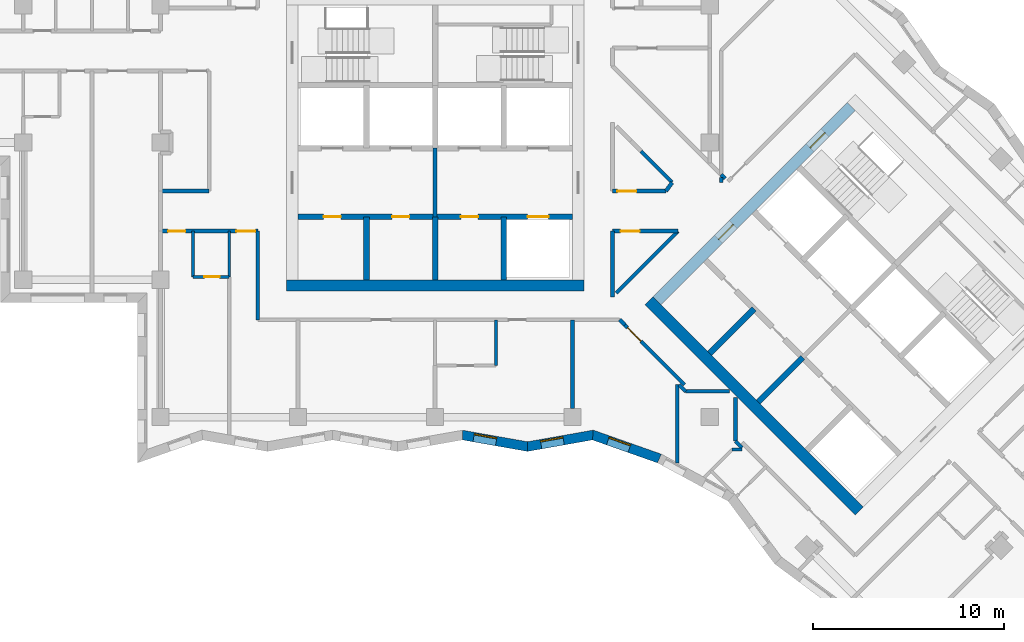
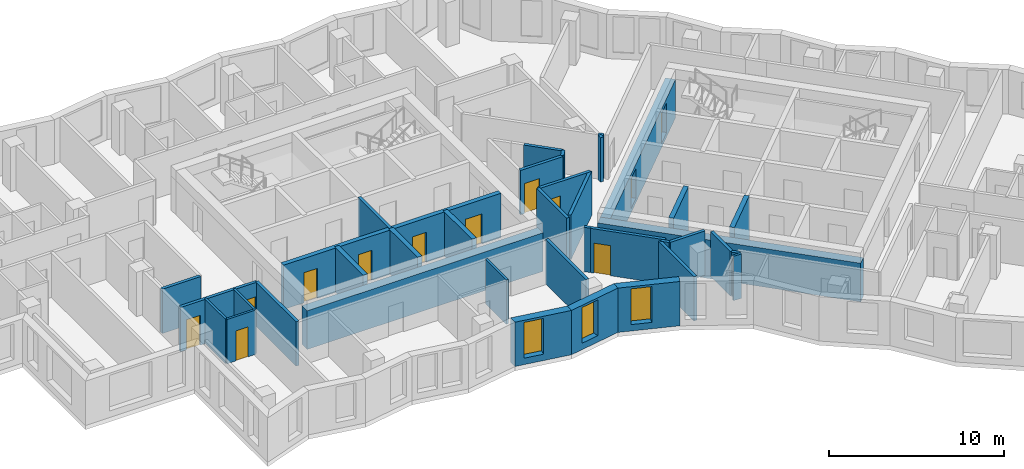
# One storey, part 3 of 12: 37 walls, 12 doors, 3 windows, 15 openings.
"""IFC4 building model written with IfcOpenShell, lengths in metres."""

from ifc_helpers import new_model, si_unit, direction, frame, frame_2d, origin, place, context, subcontext, project, spatial, polyline, rectangle, outline, extrude, material, layer, layer_set, type_object, element, fill, save


model = new_model("IFC4")

# Units and contexts
model_context = context("Model", 3, precision=1e-05, world=origin(), true_north=direction((0.0, 1.0)))
body_context = subcontext(model_context, "Body", "Model", "MODEL_VIEW")
ifc_project = project(units=[si_unit("LENGTHUNIT", "METRE"), si_unit("AREAUNIT", "SQUARE_METRE"), si_unit("VOLUMEUNIT", "CUBIC_METRE"), si_unit("PLANEANGLEUNIT", "RADIAN"), si_unit("MASSUNIT", "GRAM", prefix="KILO")], contexts=[model_context])

# Site, building, storey
site_placement = place(None, origin())
site = spatial("IfcSite", under=ifc_project, at=site_placement, CompositionType="ELEMENT")
building_placement = place(site_placement, origin())
building = spatial("IfcBuilding", under=site, at=building_placement, Name="Windrow Commons", CompositionType="ELEMENT")
storey_placement = place(building_placement, frame((0.0, 0.0, 169.4)))
storey = spatial("IfcBuildingStorey", under=building, at=storey_placement, Name="L46", CompositionType="ELEMENT", Elevation=169.4)

# Wall, opening, window
ifc_material_1 = material(Name="Brick masonry, red clay brick", Category="masonry")
ifc_layer_1 = layer(ifc_material_1, 0.5)
ifc_layer_set_1 = layer_set([ifc_layer_1], Name="Brick facade wall 500")
wall_type_1 = type_object("IfcWallType", Name="Brick facade wall 500", PredefinedType="SOLIDWALL", material=ifc_layer_set_1)
wall_1_placement = place(storey_placement, frame((66.236, 42.2539, 0.0), z_axis=(0.0, 0.0, 1.0), x_axis=(0.9846979018, -0.1742700266, 0.0)))
wall_1 = element("IfcWall", 1, at=wall_1_placement, inside=storey, type_object=wall_type_1, Name="Brick facade wall L46 47", PredefinedType="SOLIDWALL", context=body_context, shape_type="SweptSolid", body=[
    extrude(outline(polyline([(0.0442, -0.25), (3.5044, -0.25), (3.4159, 0.25), (-0.0442, 0.25), (0.0442, -0.25)])), origin(), (0.0, 0.0, 1.0), 3.1),
])
opening_1_placement = place(wall_1_placement, frame((0.5988, 0.0, 0.45)))
opening_1 = element("IfcOpeningElement", 2, at=opening_1_placement, cuts=wall_1, Name="Opening W7E", PredefinedType="OPENING", context=body_context, shape_type="SweptSolid", body=[
    extrude(rectangle(XDim=1.2, YDim=2.5, at=frame_2d((0.6, 1.25))), frame((0.0, 0.26, 0.0), z_axis=(0.0, -1.0, 0.0), x_axis=(1.0, 0.0, 0.0)), (0.0, 0.0, 1.0), 0.52),
])
ifc_material_2 = material(Name="Clear float glass in anodised aluminium frame", Category="aluminium")
window_type = type_object("IfcWindowType", Name="Window W7 notch 1200x2500", PartitioningType="SINGLE_PANEL", PredefinedType="WINDOW", material=ifc_material_2)
window_1_placement = place(opening_1_placement, origin())
window_1 = element("IfcWindow", 3, at=window_1_placement, inside=storey, type_object=window_type, Name="Window L46 47.1", OverallHeight=2.5, OverallWidth=1.2, PartitioningType="SINGLE_PANEL", PredefinedType="WINDOW", context=body_context, shape_type="SweptSolid", body=[
    extrude(rectangle(XDim=1.2, YDim=2.5, at=frame_2d((0.6, 1.25))), frame((0.0, 0.18, 0.0), z_axis=(0.0, -1.0, 0.0), x_axis=(1.0, 0.0, 0.0)), (0.0, 0.0, 1.0), 0.06),
])
fill(opening_1, window_1)

wall_2_placement = place(storey_placement, frame((69.6432, 41.6509, 0.0), z_axis=(0.0, 0.0, 1.0), x_axis=(0.9847004616, 0.1742555624, 0.0)))
wall_2 = element("IfcWall", 4, at=wall_2_placement, inside=storey, type_object=wall_type_1, Name="Brick facade wall L46 48", PredefinedType="SOLIDWALL", context=body_context, shape_type="SweptSolid", body=[
    extrude(outline(polyline([(-0.0442, -0.25), (3.4159, -0.25), (3.5475, 0.25), (0.0442, 0.25), (-0.0442, -0.25)])), origin(), (0.0, 0.0, 1.0), 3.1),
])
opening_2_placement = place(wall_2_placement, frame((0.7188, 0.0, 0.45)))
opening_2 = element("IfcOpeningElement", 5, at=opening_2_placement, cuts=wall_2, Name="Opening W7E", PredefinedType="OPENING", context=body_context, shape_type="SweptSolid", body=[
    extrude(rectangle(XDim=1.2, YDim=2.5, at=frame_2d((0.6, 1.25))), frame((0.0, 0.26, 0.0), z_axis=(0.0, -1.0, 0.0), x_axis=(1.0, 0.0, 0.0)), (0.0, 0.0, 1.0), 0.52),
])
window_2_placement = place(opening_2_placement, origin())
window_2 = element("IfcWindow", 6, at=window_2_placement, inside=storey, type_object=window_type, Name="Window L46 48.1", OverallHeight=2.5, OverallWidth=1.2, PartitioningType="SINGLE_PANEL", PredefinedType="WINDOW", context=body_context, shape_type="SweptSolid", body=[
    extrude(rectangle(XDim=1.2, YDim=2.5, at=frame_2d((0.6, 1.25))), frame((0.0, 0.18, 0.0), z_axis=(0.0, -1.0, 0.0), x_axis=(1.0, 0.0, 0.0)), (0.0, 0.0, 1.0), 0.06),
])
fill(opening_2, window_2)

wall_3_placement = place(storey_placement, frame((73.0716, 42.2576, 0.0), z_axis=(0.0, 0.0, 1.0), x_axis=(0.9429553898, -0.3329191086, 0.0)))
wall_3 = element("IfcWall", 7, at=wall_3_placement, inside=storey, type_object=wall_type_1, Name="Brick facade wall L46 49", PredefinedType="SOLIDWALL", context=body_context, shape_type="SweptSolid", body=[
    extrude(outline(polyline([(0.0658, -0.25), (3.6791, -0.25), (3.7184, 0.25), (-0.0658, 0.25), (0.0658, -0.25)])), origin(), (0.0, 0.0, 1.0), 3.1),
])
opening_3_placement = place(wall_3_placement, frame((0.8407, 0.0, 0.45)))
opening_3 = element("IfcOpeningElement", 8, at=opening_3_placement, cuts=wall_3, Name="Opening W7E", PredefinedType="OPENING", context=body_context, shape_type="SweptSolid", body=[
    extrude(rectangle(XDim=1.2, YDim=2.5, at=frame_2d((0.6, 1.25))), frame((0.0, 0.26, 0.0), z_axis=(0.0, -1.0, 0.0), x_axis=(1.0, 0.0, 0.0)), (0.0, 0.0, 1.0), 0.52),
])
window_3_placement = place(opening_3_placement, origin())
window_3 = element("IfcWindow", 9, at=window_3_placement, inside=storey, type_object=window_type, Name="Window L46 49.1", OverallHeight=2.5, OverallWidth=1.2, PartitioningType="SINGLE_PANEL", PredefinedType="WINDOW", context=body_context, shape_type="SweptSolid", body=[
    extrude(rectangle(XDim=1.2, YDim=2.5, at=frame_2d((0.6, 1.25))), frame((0.0, 0.18, 0.0), z_axis=(0.0, -1.0, 0.0), x_axis=(1.0, 0.0, 0.0)), (0.0, 0.0, 1.0), 0.06),
])
fill(opening_3, window_3)

# Wall
ifc_material_3 = material(Name="Blockwork partition", Category="masonry")
ifc_layer_2 = layer(ifc_material_3, 0.2)
ifc_layer_set_2 = layer_set([ifc_layer_2], Name="Fire lobby partition 200")
wall_type_2 = type_object("IfcWallType", Name="Fire lobby partition 200", PredefinedType="PARTITIONING", material=ifc_layer_set_2)
wall_4_placement = place(storey_placement, frame((64.8, 53.7, 0.0), z_axis=(0.0, 0.0, 1.0), x_axis=(0.0, 1.0, 0.0)))
element("IfcWall", 10, at=wall_4_placement, inside=storey, type_object=wall_type_2, Name="W-core-lobby-A-L46", PredefinedType="PARTITIONING", context=body_context, shape_type="SweptSolid", body=[
    extrude(rectangle(XDim=3.6, YDim=0.2, at=frame_2d((1.8, 0.0))), origin(), (0.0, 0.0, 1.0), 3.1),
])

# Wall, openings, doors
ifc_material_4 = material(Name="Blockwork partition", Category="masonry")
ifc_layer_3 = layer(ifc_material_4, 0.2)
ifc_layer_set_3 = layer_set([ifc_layer_3], Name="IW-CORRIDOR-200")
wall_type_3 = type_object("IfcWallType", Name="IW-CORRIDOR-200", PredefinedType="PARTITIONING", material=ifc_layer_set_3)
wall_5_placement = place(storey_placement, frame((50.4, 52.95, 0.0), z_axis=(0.0, 0.0, 1.0), x_axis=(1.0, 0.0, 0.0)))
wall_5 = element("IfcWall", 11, at=wall_5_placement, inside=storey, type_object=wall_type_3, Name="W-L46-W035", PredefinedType="PARTITIONING", context=body_context, shape_type="SweptSolid", body=[
    extrude(rectangle(XDim=5.1, YDim=0.2, at=frame_2d((2.55, 0.0))), origin(), (0.0, 0.0, 1.0), 3.1),
])
opening_4_placement = place(wall_5_placement, frame((0.4, 0.0, 0.0)))
opening_4 = element("IfcOpeningElement", 12, at=opening_4_placement, cuts=wall_5, Name="Opening D109S", PredefinedType="OPENING", context=body_context, shape_type="SweptSolid", body=[
    extrude(rectangle(XDim=0.9, YDim=2.1, at=frame_2d((0.45, 1.05))), frame((0.0, 0.11, 0.0), z_axis=(0.0, -1.0, 0.0), x_axis=(1.0, 0.0, 0.0)), (0.0, 0.0, 1.0), 0.22),
])
opening_5_placement = place(wall_5_placement, frame((3.976, 0.0, 0.0)))
opening_5 = element("IfcOpeningElement", 13, at=opening_5_placement, cuts=wall_5, Name="Opening D310F", PredefinedType="OPENING", context=body_context, shape_type="SweptSolid", body=[
    extrude(rectangle(XDim=1.0, YDim=2.1, at=frame_2d((0.5, 1.05))), frame((0.0, 0.11, 0.0), z_axis=(0.0, -1.0, 0.0), x_axis=(1.0, 0.0, 0.0)), (0.0, 0.0, 1.0), 0.22),
])
ifc_material_5 = material(Name="Timber door leaf", Category="wood")
door_type_1 = type_object("IfcDoorType", Name="DT-AMENITY-1000", OperationType="SINGLE_SWING_LEFT", PredefinedType="DOOR", material=ifc_material_5)
door_1_placement = place(opening_5_placement, origin())
door_1 = element("IfcDoor", 14, at=door_1_placement, inside=storey, type_object=door_type_1, Name="D-L46-D027", OperationType="SINGLE_SWING_RIGHT", OverallHeight=2.1, OverallWidth=1.0, PredefinedType="DOOR", context=body_context, shape_type="SweptSolid", body=[
    extrude(rectangle(XDim=1.0, YDim=2.1, at=frame_2d((0.5, 1.05))), frame((0.0, 0.025, 0.0), z_axis=(0.0, -1.0, 0.0), x_axis=(1.0, 0.0, 0.0)), (0.0, 0.0, 1.0), 0.05),
])
fill(opening_5, door_1)
ifc_material_6 = material(Name="Timber door leaf", Category="wood")
door_type_2 = type_object("IfcDoorType", Name="DT-BEDROOM-900", OperationType="SINGLE_SWING_LEFT", PredefinedType="DOOR", material=ifc_material_6)
door_2_placement = place(opening_4_placement, origin())
door_2 = element("IfcDoor", 15, at=door_2_placement, inside=storey, type_object=door_type_2, Name="D-L46-D025", OperationType="SINGLE_SWING_LEFT", OverallHeight=2.1, OverallWidth=0.9, PredefinedType="DOOR", context=body_context, shape_type="SweptSolid", body=[
    extrude(rectangle(XDim=0.9, YDim=2.1, at=frame_2d((0.45, 1.05))), frame((0.0, 0.025, 0.0), z_axis=(0.0, -1.0, 0.0), x_axis=(1.0, 0.0, 0.0)), (0.0, 0.0, 1.0), 0.05),
])
fill(opening_4, door_2)

# Walls
wall_6_placement = place(storey_placement, frame((55.5, 48.3, 0.0), z_axis=(0.0, 0.0, 1.0), x_axis=(0.0, 1.0, 0.0)))
element("IfcWall", 16, at=wall_6_placement, inside=storey, type_object=wall_type_3, Name="W-L46-W040", PredefinedType="PARTITIONING", context=body_context, shape_type="SweptSolid", body=[
    extrude(rectangle(XDim=4.65, YDim=0.2, at=frame_2d((2.325, 0.0))), origin(), (0.0, 0.0, 1.0), 3.1),
])
wall_7_placement = place(storey_placement, frame((74.2996, 49.7064, 0.0), z_axis=(0.0, 0.0, 1.0), x_axis=(0.7071067812, 0.7071067812, 0.0)))
element("IfcWall", 17, at=wall_7_placement, inside=storey, type_object=wall_type_3, Name="W-L46-W045", PredefinedType="PARTITIONING", context=body_context, shape_type="SweptSolid", body=[
    extrude(rectangle(XDim=4.5877, YDim=0.2, at=frame_2d((2.2938, 0.0))), origin(), (0.0, 0.0, 1.0), 3.1),
])

# Wall, opening, door
wall_8_placement = place(storey_placement, frame((74.7447, 48.0287, 0.0), z_axis=(0.0, 0.0, 1.0), x_axis=(0.7068806156, -0.7073328745, 0.0)))
wall_8 = element("IfcWall", 18, at=wall_8_placement, inside=storey, type_object=wall_type_3, Name="W-L46-W047", PredefinedType="PARTITIONING", context=body_context, shape_type="SweptSolid", body=[
    extrude(rectangle(XDim=4.4222, YDim=0.2, at=frame_2d((2.2111, 0.0))), origin(), (0.0, 0.0, 1.0), 3.1),
])
opening_6_placement = place(wall_8_placement, frame((0.1993, 0.0, 0.0)))
opening_6 = element("IfcOpeningElement", 19, at=opening_6_placement, cuts=wall_8, Name="Opening D310F", PredefinedType="OPENING", context=body_context, shape_type="SweptSolid", body=[
    extrude(rectangle(XDim=1.0, YDim=2.1, at=frame_2d((0.5, 1.05))), frame((0.0, 0.11, 0.0), z_axis=(0.0, -1.0, 0.0), x_axis=(1.0, 0.0, 0.0)), (0.0, 0.0, 1.0), 0.22),
])
door_3_placement = place(opening_6_placement, origin())
door_3 = element("IfcDoor", 20, at=door_3_placement, inside=storey, type_object=door_type_1, Name="D-L46-D039", OperationType="SINGLE_SWING_LEFT", OverallHeight=2.1, OverallWidth=1.0, PredefinedType="DOOR", context=body_context, shape_type="SweptSolid", body=[
    extrude(rectangle(XDim=1.0, YDim=2.1, at=frame_2d((0.5, 1.05))), frame((0.0, 0.025, 0.0), z_axis=(0.0, -1.0, 0.0), x_axis=(1.0, 0.0, 0.0)), (0.0, 0.0, 1.0), 0.05),
])
fill(opening_6, door_3)

# Wall
wall_9_placement = place(storey_placement, frame((74.1, 49.508, 0.0), z_axis=(0.0, 0.0, 1.0), x_axis=(0.0, 1.0, 0.0)))
element("IfcWall", 21, at=wall_9_placement, inside=storey, type_object=wall_type_3, Name="W-L46-W055", PredefinedType="PARTITIONING", context=body_context, shape_type="SweptSolid", body=[
    extrude(rectangle(XDim=3.442, YDim=0.2, at=frame_2d((1.721, 0.0))), origin(), (0.0, 0.0, 1.0), 3.1),
])

# Wall, opening, door
wall_10_placement = place(storey_placement, frame((74.102, 52.95, 0.0), z_axis=(0.0, 0.0, 1.0), x_axis=(1.0, 0.0, 0.0)))
wall_10 = element("IfcWall", 22, at=wall_10_placement, inside=storey, type_object=wall_type_3, Name="W-L46-W056", PredefinedType="PARTITIONING", context=body_context, shape_type="SweptSolid", body=[
    extrude(rectangle(XDim=3.44, YDim=0.2, at=frame_2d((1.72, 0.0))), origin(), (0.0, 0.0, 1.0), 3.1),
])
opening_7_placement = place(wall_10_placement, frame((0.426, 0.0, 0.0)))
opening_7 = element("IfcOpeningElement", 23, at=opening_7_placement, cuts=wall_10, Name="Opening D410F", PredefinedType="OPENING", context=body_context, shape_type="SweptSolid", body=[
    extrude(rectangle(XDim=1.0, YDim=2.1, at=frame_2d((0.5, 1.05))), frame((0.0, 0.11, 0.0), z_axis=(0.0, -1.0, 0.0), x_axis=(1.0, 0.0, 0.0)), (0.0, 0.0, 1.0), 0.22),
])
ifc_material_7 = material(Name="Timber door leaf", Category="wood")
door_type_3 = type_object("IfcDoorType", Name="DT-SERVICE-1000", OperationType="SINGLE_SWING_LEFT", PredefinedType="DOOR", material=ifc_material_7)
door_4_placement = place(opening_7_placement, origin())
door_4 = element("IfcDoor", 24, at=door_4_placement, inside=storey, type_object=door_type_3, Name="D-L46-D000", OperationType="SINGLE_SWING_RIGHT", OverallHeight=2.1, OverallWidth=1.0, PredefinedType="DOOR", context=body_context, shape_type="SweptSolid", body=[
    extrude(rectangle(XDim=1.0, YDim=2.1, at=frame_2d((0.5, 1.05))), frame((0.0, 0.025, 0.0), z_axis=(0.0, -1.0, 0.0), x_axis=(1.0, 0.0, 0.0)), (0.0, 0.0, 1.0), 0.05),
])
fill(opening_7, door_4)

wall_11_placement = place(storey_placement, frame((74.102, 55.05, 0.0), z_axis=(0.0, 0.0, 1.0), x_axis=(1.0, 0.0, 0.0)))
wall_11 = element("IfcWall", 25, at=wall_11_placement, inside=storey, type_object=wall_type_3, Name="W-L46-W062", PredefinedType="PARTITIONING", context=body_context, shape_type="SweptSolid", body=[
    extrude(rectangle(XDim=2.794, YDim=0.2, at=frame_2d((1.397, 0.0))), origin(), (0.0, 0.0, 1.0), 3.1),
])
opening_8_placement = place(wall_11_placement, frame((0.2542, 0.0, 0.0)))
opening_8 = element("IfcOpeningElement", 26, at=opening_8_placement, cuts=wall_11, Name="Opening D410F", PredefinedType="OPENING", context=body_context, shape_type="SweptSolid", body=[
    extrude(rectangle(XDim=1.0, YDim=2.1, at=frame_2d((0.5, 1.05))), frame((0.0, 0.11, 0.0), z_axis=(0.0, -1.0, 0.0), x_axis=(1.0, 0.0, 0.0)), (0.0, 0.0, 1.0), 0.22),
])
door_5_placement = place(opening_8_placement, origin())
door_5 = element("IfcDoor", 27, at=door_5_placement, inside=storey, type_object=door_type_3, Name="D-L46-D001", OperationType="SINGLE_SWING_LEFT", OverallHeight=2.1, OverallWidth=1.0, PredefinedType="DOOR", context=body_context, shape_type="SweptSolid", body=[
    extrude(rectangle(XDim=1.0, YDim=2.1, at=frame_2d((0.5, 1.05))), frame((0.0, 0.025, 0.0), z_axis=(0.0, -1.0, 0.0), x_axis=(1.0, 0.0, 0.0)), (0.0, 0.0, 1.0), 0.05),
])
fill(opening_8, door_5)

# Walls
wall_12_placement = place(storey_placement, frame((50.4, 55.05, 0.0), z_axis=(0.0, 0.0, 1.0), x_axis=(1.0, 0.0, 0.0)))
element("IfcWall", 28, at=wall_12_placement, inside=storey, type_object=wall_type_3, Name="W-L46-W065", PredefinedType="PARTITIONING", context=body_context, shape_type="SweptSolid", body=[
    extrude(rectangle(XDim=2.55, YDim=0.2, at=frame_2d((1.275, 0.0))), origin(), (0.0, 0.0, 1.0), 3.1),
])
wall_13_placement = place(storey_placement, frame((75.597, 57.141, 0.0), z_axis=(0.0, 0.0, 1.0), x_axis=(0.7071067812, -0.7071067812, 0.0)))
element("IfcWall", 29, at=wall_13_placement, inside=storey, type_object=wall_type_3, Name="W-L46-W099", PredefinedType="PARTITIONING", context=body_context, shape_type="SweptSolid", body=[
    extrude(rectangle(XDim=2.3052, YDim=0.2, at=frame_2d((1.1526, 0.0))), origin(), (0.0, 0.0, 1.0), 3.1),
])
for number, where, z_axis, x_axis, name in (
    (30, (77.942, 44.55, 0.0), (0.0, 0.0, 1.0), (1.0, 0.0, 0.0), "W-L46-W100"),
    (31, (80.55, 41.942, 0.0), (0.0, 0.0, 1.0), (0.0, 1.0, 0.0), "W-L46-W101"),
):
    element("IfcWall", number, at=place(storey_placement, frame(where, z_axis=z_axis, x_axis=x_axis)), inside=storey, type_object=wall_type_3, Name=name, PredefinedType="PARTITIONING", context=body_context, shape_type="SweptSolid", body=[
        extrude(rectangle(XDim=2.29, YDim=0.2, at=frame_2d((1.145, 0.0))), origin(), (0.0, 0.0, 1.0), 3.1),
    ])
wall_14_placement = place(storey_placement, frame((76.9029, 55.0508, 0.0), z_axis=(0.0, 0.0, 1.0), x_axis=(0.5890255926, 0.8081143801, 0.0)))
element("IfcWall", 32, at=wall_14_placement, inside=storey, type_object=wall_type_3, Name="W-L46-W149", PredefinedType="PARTITIONING", context=body_context, shape_type="SweptSolid", body=[
    extrude(rectangle(XDim=0.5569, YDim=0.2, at=frame_2d((0.2784, 0.0))), origin(), (0.0, 0.0, 1.0), 3.1),
])
for number, where, z_axis, x_axis, name in (
    (33, (77.5885, 44.8965, 0.0), (0.0, 0.0, 1.0), (0.7071067812, -0.7071067812, 0.0), "W-L46-W153"),
    (34, (80.5465, 41.9385, 0.0), (0.0, 0.0, 1.0), (0.7071067812, -0.7071067812, 0.0), "W-L46-W154"),
):
    element("IfcWall", number, at=place(storey_placement, frame(where, z_axis=z_axis, x_axis=x_axis)), inside=storey, type_object=wall_type_3, Name=name, PredefinedType="PARTITIONING", context=body_context, shape_type="SweptSolid", body=[
        extrude(rectangle(XDim=0.495, YDim=0.2, at=frame_2d((0.2475, 0.0))), origin(), (0.0, 0.0, 1.0), 3.1),
    ])
wall_15_placement = place(storey_placement, frame((79.8, 55.49, 0.0), z_axis=(0.0, 0.0, 1.0), x_axis=(0.0, 1.0, 0.0)))
element("IfcWall", 35, at=wall_15_placement, inside=storey, type_object=wall_type_3, Name="W-L46-W163", PredefinedType="PARTITIONING", context=body_context, shape_type="SweptSolid", body=[
    extrude(rectangle(XDim=0.284, YDim=0.2, at=frame_2d((0.142, 0.0))), origin(), (0.0, 0.0, 1.0), 3.1),
])
wall_16_placement = place(storey_placement, frame((74.4772, 48.3032, 0.0), z_axis=(0.0, 0.0, 1.0), x_axis=(0.7097111995, -0.7044927348, 0.0)))
element("IfcWall", 36, at=wall_16_placement, inside=storey, type_object=wall_type_3, Name="W-L46-W164", PredefinedType="PARTITIONING", context=body_context, shape_type="SweptSolid", body=[
    extrude(rectangle(XDim=0.3833, YDim=0.2, at=frame_2d((0.1916, 0.0))), origin(), (0.0, 0.0, 1.0), 3.1),
])
ifc_material_8 = material(Name="Blockwork partition", Category="masonry")
ifc_layer_4 = layer(ifc_material_8, 0.15)
ifc_layer_set_4 = layer_set([ifc_layer_4], Name="IW-ENSUITE-150")
wall_type_4 = type_object("IfcWallType", Name="IW-ENSUITE-150", PredefinedType="PARTITIONING", material=ifc_layer_set_4)
for number, where, z_axis, x_axis, name in (
    (37, (52.1, 50.55, 0.0), (0.0, 0.0, 1.0), (0.0, 1.0, 0.0), "W-L46-W071"),
    (38, (54.0, 50.55, 0.0), (0.0, 0.0, 1.0), (0.0, 1.0, 0.0), "W-L46-W072"),
    (39, (68.0, 45.9, 0.0), (0.0, 0.0, 1.0), (0.0, 1.0, 0.0), "W-L46-W077"),
):
    element("IfcWall", number, at=place(storey_placement, frame(where, z_axis=z_axis, x_axis=x_axis)), inside=storey, type_object=wall_type_4, Name=name, PredefinedType="PARTITIONING", context=body_context, shape_type="SweptSolid", body=[
        extrude(rectangle(XDim=2.4, YDim=0.15, at=frame_2d((1.2, 0.0))), origin(), (0.0, 0.0, 1.0), 3.1),
    ])

# Wall, opening, door
wall_17_placement = place(storey_placement, frame((52.1, 50.55, 0.0), z_axis=(0.0, 0.0, 1.0), x_axis=(1.0, 0.0, 0.0)))
wall_17 = element("IfcWall", 40, at=wall_17_placement, inside=storey, type_object=wall_type_4, Name="W-L46-W123", PredefinedType="PARTITIONING", context=body_context, shape_type="SweptSolid", body=[
    extrude(rectangle(XDim=1.9, YDim=0.15, at=frame_2d((0.95, 0.0))), origin(), (0.0, 0.0, 1.0), 3.1),
])
opening_9_placement = place(wall_17_placement, frame((0.5979, 0.0, 0.0)))
opening_9 = element("IfcOpeningElement", 41, at=opening_9_placement, cuts=wall_17, Name="Opening D208N", PredefinedType="OPENING", context=body_context, shape_type="SweptSolid", body=[
    extrude(rectangle(XDim=0.8, YDim=2.1, at=frame_2d((0.4, 1.05))), frame((0.0, 0.085, 0.0), z_axis=(0.0, -1.0, 0.0), x_axis=(1.0, 0.0, 0.0)), (0.0, 0.0, 1.0), 0.17),
])
ifc_material_9 = material(Name="Timber door leaf", Category="wood")
door_type_4 = type_object("IfcDoorType", Name="DT-ENSUITE-800", OperationType="SINGLE_SWING_LEFT", PredefinedType="DOOR", material=ifc_material_9)
door_6_placement = place(opening_9_placement, origin())
door_6 = element("IfcDoor", 42, at=door_6_placement, inside=storey, type_object=door_type_4, Name="D-L46-D026", OperationType="SINGLE_SWING_RIGHT", OverallHeight=2.1, OverallWidth=0.8, PredefinedType="DOOR", context=body_context, shape_type="SweptSolid", body=[
    extrude(rectangle(XDim=0.8, YDim=2.1, at=frame_2d((0.4, 1.05))), frame((0.0, 0.025, 0.0), z_axis=(0.0, -1.0, 0.0), x_axis=(1.0, 0.0, 0.0)), (0.0, 0.0, 1.0), 0.05),
])
fill(opening_9, door_6)

# Walls
wall_18_placement = place(storey_placement, frame((80.378, 41.5, 0.0), z_axis=(0.0, 0.0, 1.0), x_axis=(1.0, 0.0, 0.0)))
element("IfcWall", 43, at=wall_18_placement, inside=storey, type_object=wall_type_4, Name="W-L46-W152", PredefinedType="PARTITIONING", context=body_context, shape_type="SweptSolid", body=[
    extrude(rectangle(XDim=0.522, YDim=0.15, at=frame_2d((0.261, 0.0))), origin(), (0.0, 0.0, 1.0), 3.1),
])
ifc_material_10 = material(Name="Blockwork partition", Category="masonry")
ifc_layer_5 = layer(ifc_material_10, 0.2)
ifc_layer_set_5 = layer_set([ifc_layer_5], Name="IW-PARTY-200")
wall_type_5 = type_object("IfcWallType", Name="IW-PARTY-200", PredefinedType="PARTITIONING", material=ifc_layer_set_5)
wall_19_placement = place(storey_placement, frame((72.0, 43.65, 0.0), z_axis=(0.0, 0.0, 1.0), x_axis=(0.0, 1.0, 0.0)))
element("IfcWall", 44, at=wall_19_placement, inside=storey, type_object=wall_type_5, Name="W-L46-W043", PredefinedType="PARTITIONING", context=body_context, shape_type="SweptSolid", body=[
    extrude(rectangle(XDim=4.65, YDim=0.2, at=frame_2d((2.325, 0.0))), origin(), (0.0, 0.0, 1.0), 3.1),
])
wall_20_placement = place(storey_placement, frame((77.5, 40.801, 0.0), z_axis=(0.0, 0.0, 1.0), x_axis=(0.0, 1.0, 0.0)))
element("IfcWall", 45, at=wall_20_placement, inside=storey, type_object=wall_type_5, Name="W-L46-W049", PredefinedType="PARTITIONING", context=body_context, shape_type="SweptSolid", body=[
    extrude(rectangle(XDim=4.099, YDim=0.2, at=frame_2d((2.0495, 0.0))), origin(), (0.0, 0.0, 1.0), 3.1),
])
wall_21_placement = place(storey_placement, frame((79.7972, 55.9112, 0.0), z_axis=(0.0, 0.0, 1.0), x_axis=(0.710418702, -0.7037792749, 0.0)))
element("IfcWall", 46, at=wall_21_placement, inside=storey, type_object=wall_type_5, Name="W-L46-W165", PredefinedType="PARTITIONING", context=body_context, shape_type="SweptSolid", body=[
    extrude(rectangle(XDim=0.3012, YDim=0.2, at=frame_2d((0.1506, 0.0))), origin(), (0.0, 0.0, 1.0), 3.1),
])
ifc_material_11 = material(Name="Concrete C50/60", Category="concrete")
ifc_layer_6 = layer(ifc_material_11, 0.6)
ifc_layer_set_6 = layer_set([ifc_layer_6], Name="RC CORE WALL 600 C50/60")
wall_type_6 = type_object("IfcWallType", Name="RC CORE WALL 600 C50/60", PredefinedType="SHEAR", material=ifc_layer_set_6)
for number, where, z_axis, x_axis, name in (
    (47, (57.0, 50.1, -0.3), (0.0, 0.0, 1.0), (1.0, 0.0, 0.0), "Core A wall outer-S"),
    (48, (76.018, 49.3019, -0.3), (0.0, 0.0, 1.0), (0.7071067812, -0.7071067812, 0.0), "Core B wall outer-S"),
):
    element("IfcWall", number, at=place(storey_placement, frame(where, z_axis=z_axis, x_axis=x_axis)), inside=storey, type_object=wall_type_6, Name=name, PredefinedType="SHEAR", context=body_context, shape_type="SweptSolid", body=[
        extrude(rectangle(XDim=15.6, YDim=0.6, at=frame_2d((7.8, 0.0))), origin(), (0.0, 0.0, 1.0), 2.7),
    ])

# Wall, openings, doors
wall_22_placement = place(storey_placement, frame((76.4423, 49.3019, -0.3), z_axis=(0.0, 0.0, 1.0), x_axis=(0.7071067812, 0.7071067812, 0.0)))
wall_22 = element("IfcWall", 49, at=wall_22_placement, inside=storey, type_object=wall_type_6, Name="Core B wall outer-W", PredefinedType="SHEAR", context=body_context, shape_type="SweptSolid", body=[
    extrude(rectangle(XDim=14.3999, YDim=0.6, at=frame_2d((7.2, 0.0))), origin(), (0.0, 0.0, 1.0), 2.7),
])
opening_10_placement = place(wall_22_placement, frame((4.55, 0.0, 0.3)))
opening_10 = element("IfcOpeningElement", 50, at=opening_10_placement, cuts=wall_22, Name="Opening D6", PredefinedType="OPENING", context=body_context, shape_type="SweptSolid", body=[
    extrude(rectangle(XDim=1.1, YDim=2.1, at=frame_2d((0.55, 1.05))), frame((0.0, 0.31, 0.0), z_axis=(0.0, -1.0, 0.0), x_axis=(1.0, 0.0, 0.0)), (0.0, 0.0, 1.0), 0.62),
])
opening_11_placement = place(wall_22_placement, frame((11.35, 0.0, 0.3)))
opening_11 = element("IfcOpeningElement", 51, at=opening_11_placement, cuts=wall_22, Name="Opening D7", PredefinedType="OPENING", context=body_context, shape_type="SweptSolid", body=[
    extrude(rectangle(XDim=1.1, YDim=2.1, at=frame_2d((0.55, 1.05))), frame((0.0, 0.31, 0.0), z_axis=(0.0, -1.0, 0.0), x_axis=(1.0, 0.0, 0.0)), (0.0, 0.0, 1.0), 0.62),
])
ifc_material_12 = material(Name="Steel fire door leaf", Category="steel")
door_type_5 = type_object("IfcDoorType", Name="Core lobby door 1100", OperationType="SINGLE_SWING_LEFT", PredefinedType="DOOR", material=ifc_material_12)
door_7_placement = place(opening_10_placement, origin())
door_7 = element("IfcDoor", 52, at=door_7_placement, inside=storey, type_object=door_type_5, Name="Lift lobby door", OperationType="DOUBLE_DOOR_SINGLE_SWING", OverallHeight=2.1, OverallWidth=1.1, PredefinedType="DOOR", context=body_context, shape_type="SweptSolid", body=[
    extrude(rectangle(XDim=1.1, YDim=2.1, at=frame_2d((0.55, 1.05))), frame((0.0, 0.025, 0.0), z_axis=(0.0, -1.0, 0.0), x_axis=(1.0, 0.0, 0.0)), (0.0, 0.0, 1.0), 0.05),
])
fill(opening_10, door_7)
ifc_material_13 = material(Name="Steel fire door leaf", Category="steel")
door_type_6 = type_object("IfcDoorType", Name="Stair door 1100", OperationType="SINGLE_SWING_LEFT", PredefinedType="DOOR", material=ifc_material_13)
door_8_placement = place(opening_11_placement, origin())
door_8 = element("IfcDoor", 53, at=door_8_placement, inside=storey, type_object=door_type_6, Name="Stair door", OperationType="SINGLE_SWING_LEFT", OverallHeight=2.1, OverallWidth=1.1, PredefinedType="DOOR", context=body_context, shape_type="SweptSolid", body=[
    extrude(rectangle(XDim=1.1, YDim=2.1, at=frame_2d((0.55, 1.05))), frame((0.0, 0.025, 0.0), z_axis=(0.0, -1.0, 0.0), x_axis=(1.0, 0.0, 0.0)), (0.0, 0.0, 1.0), 0.05),
])
fill(opening_11, door_8)

# Walls
ifc_material_14 = material(Name="Concrete C50/60", Category="concrete")
ifc_layer_7 = layer(ifc_material_14, 0.3)
ifc_layer_set_7 = layer_set([ifc_layer_7], Name="RC SHAFT WALL 300 C50/60")
wall_type_7 = type_object("IfcWallType", Name="RC SHAFT WALL 300 C50/60", PredefinedType="SOLIDWALL", material=ifc_layer_set_7)
for number, where, z_axis, x_axis, name in (
    (54, (61.2, 50.4, 0.0), (0.0, 0.0, 1.0), (0.0, 1.0, 0.0), "Core A wall shaft-S1"),
    (55, (64.8, 50.4, 0.0), (0.0, 0.0, 1.0), (0.0, 1.0, 0.0), "Core A wall shaft-S2"),
    (56, (68.4, 50.4, 0.0), (0.0, 0.0, 1.0), (0.0, 1.0, 0.0), "Core A wall shaft-S3"),
):
    element("IfcWall", number, at=place(storey_placement, frame(where, z_axis=z_axis, x_axis=x_axis)), inside=storey, type_object=wall_type_7, Name=name, PredefinedType="SOLIDWALL", context=body_context, shape_type="SweptSolid", body=[
        extrude(rectangle(XDim=3.3, YDim=0.3, at=frame_2d((1.65, 0.0))), origin(), (0.0, 0.0, 1.0), 3.1),
    ])

# Wall, openings, doors
wall_23_placement = place(storey_placement, frame((57.6, 53.7, 0.0), z_axis=(0.0, 0.0, 1.0), x_axis=(1.0, 0.0, 0.0)))
wall_23 = element("IfcWall", 57, at=wall_23_placement, inside=storey, type_object=wall_type_7, Name="Core A wall lobby-S", PredefinedType="SOLIDWALL", context=body_context, shape_type="SweptSolid", body=[
    extrude(rectangle(XDim=14.4, YDim=0.3, at=frame_2d((7.2, 0.0))), origin(), (0.0, 0.0, 1.0), 3.1),
])
opening_12_placement = place(wall_23_placement, frame((1.35, 0.0, 0.0)))
opening_12 = element("IfcOpeningElement", 58, at=opening_12_placement, cuts=wall_23, Name="Opening D8", PredefinedType="OPENING", context=body_context, shape_type="SweptSolid", body=[
    extrude(rectangle(XDim=0.9, YDim=2.1, at=frame_2d((0.45, 1.05))), frame((0.0, 0.16, 0.0), z_axis=(0.0, -1.0, 0.0), x_axis=(1.0, 0.0, 0.0)), (0.0, 0.0, 1.0), 0.32),
])
opening_13_placement = place(wall_23_placement, frame((4.95, 0.0, 0.0)))
opening_13 = element("IfcOpeningElement", 59, at=opening_13_placement, cuts=wall_23, Name="Opening D8", PredefinedType="OPENING", context=body_context, shape_type="SweptSolid", body=[
    extrude(rectangle(XDim=0.9, YDim=2.1, at=frame_2d((0.45, 1.05))), frame((0.0, 0.16, 0.0), z_axis=(0.0, -1.0, 0.0), x_axis=(1.0, 0.0, 0.0)), (0.0, 0.0, 1.0), 0.32),
])
opening_14_placement = place(wall_23_placement, frame((8.55, 0.0, 0.0)))
opening_14 = element("IfcOpeningElement", 60, at=opening_14_placement, cuts=wall_23, Name="Opening D8", PredefinedType="OPENING", context=body_context, shape_type="SweptSolid", body=[
    extrude(rectangle(XDim=0.9, YDim=2.1, at=frame_2d((0.45, 1.05))), frame((0.0, 0.16, 0.0), z_axis=(0.0, -1.0, 0.0), x_axis=(1.0, 0.0, 0.0)), (0.0, 0.0, 1.0), 0.32),
])
opening_15_placement = place(wall_23_placement, frame((12.05, 0.0, 0.0)))
opening_15 = element("IfcOpeningElement", 61, at=opening_15_placement, cuts=wall_23, Name="Opening LD", PredefinedType="OPENING", context=body_context, shape_type="SweptSolid", body=[
    extrude(rectangle(XDim=1.1, YDim=2.1, at=frame_2d((0.55, 1.05))), frame((0.0, 0.16, 0.0), z_axis=(0.0, -1.0, 0.0), x_axis=(1.0, 0.0, 0.0)), (0.0, 0.0, 1.0), 0.32),
])
ifc_material_15 = material(Name="Steel fire door leaf", Category="steel")
door_type_7 = type_object("IfcDoorType", Name="Core store door 900", OperationType="SINGLE_SWING_LEFT", PredefinedType="DOOR", material=ifc_material_15)
door_9_placement = place(opening_12_placement, origin())
door_9 = element("IfcDoor", 62, at=door_9_placement, inside=storey, type_object=door_type_7, Name="Store door", OperationType="SINGLE_SWING_LEFT", OverallHeight=2.1, OverallWidth=0.9, PredefinedType="DOOR", context=body_context, shape_type="SweptSolid", body=[
    extrude(rectangle(XDim=0.9, YDim=2.1, at=frame_2d((0.45, 1.05))), frame((0.0, 0.025, 0.0), z_axis=(0.0, -1.0, 0.0), x_axis=(1.0, 0.0, 0.0)), (0.0, 0.0, 1.0), 0.05),
])
fill(opening_12, door_9)
door_10_placement = place(opening_13_placement, origin())
door_10 = element("IfcDoor", 63, at=door_10_placement, inside=storey, type_object=door_type_7, Name="Store door", OperationType="SINGLE_SWING_LEFT", OverallHeight=2.1, OverallWidth=0.9, PredefinedType="DOOR", context=body_context, shape_type="SweptSolid", body=[
    extrude(rectangle(XDim=0.9, YDim=2.1, at=frame_2d((0.45, 1.05))), frame((0.0, 0.025, 0.0), z_axis=(0.0, -1.0, 0.0), x_axis=(1.0, 0.0, 0.0)), (0.0, 0.0, 1.0), 0.05),
])
fill(opening_13, door_10)
door_11_placement = place(opening_14_placement, origin())
door_11 = element("IfcDoor", 64, at=door_11_placement, inside=storey, type_object=door_type_7, Name="Store door", OperationType="SINGLE_SWING_LEFT", OverallHeight=2.1, OverallWidth=0.9, PredefinedType="DOOR", context=body_context, shape_type="SweptSolid", body=[
    extrude(rectangle(XDim=0.9, YDim=2.1, at=frame_2d((0.45, 1.05))), frame((0.0, 0.025, 0.0), z_axis=(0.0, -1.0, 0.0), x_axis=(1.0, 0.0, 0.0)), (0.0, 0.0, 1.0), 0.05),
])
fill(opening_14, door_11)
ifc_material_16 = material(Name="Stainless steel door leaf", Category="steel")
door_type_8 = type_object("IfcDoorType", Name="Lift landing door 1100", OperationType="SLIDING_TO_LEFT", PredefinedType="DOOR", material=ifc_material_16)
door_12_placement = place(opening_15_placement, origin())
door_12 = element("IfcDoor", 65, at=door_12_placement, inside=storey, type_object=door_type_8, Name="Lift landing door", OperationType="SLIDING_TO_RIGHT", OverallHeight=2.1, OverallWidth=1.1, PredefinedType="DOOR", context=body_context, shape_type="SweptSolid", body=[
    extrude(rectangle(XDim=1.1, YDim=2.1, at=frame_2d((0.55, 1.05))), frame((0.0, 0.025, 0.0), z_axis=(0.0, -1.0, 0.0), x_axis=(1.0, 0.0, 0.0)), (0.0, 0.0, 1.0), 0.05),
])
fill(opening_15, door_12)

# Walls
wall_24_placement = place(storey_placement, frame((79.2, 46.5442, 0.0), z_axis=(0.0, 0.0, 1.0), x_axis=(0.7071219326, 0.7070916295, 0.0)))
element("IfcWall", 66, at=wall_24_placement, inside=storey, type_object=wall_type_7, Name="Core B wall shaft-S1", PredefinedType="SOLIDWALL", context=body_context, shape_type="SweptSolid", body=[
    extrude(rectangle(XDim=3.3, YDim=0.3, at=frame_2d((1.65, 0.0))), origin(), (0.0, 0.0, 1.0), 3.1),
])
wall_25_placement = place(storey_placement, frame((81.7456, 43.9986, 0.0), z_axis=(0.0, 0.0, 1.0), x_axis=(0.7071067812, 0.7071067812, 0.0)))
element("IfcWall", 67, at=wall_25_placement, inside=storey, type_object=wall_type_7, Name="Core B wall shaft-S2", PredefinedType="SOLIDWALL", context=body_context, shape_type="SweptSolid", body=[
    extrude(rectangle(XDim=3.2999, YDim=0.3, at=frame_2d((1.65, 0.0))), origin(), (0.0, 0.0, 1.0), 3.1),
])

save(model, "model.ifc")
